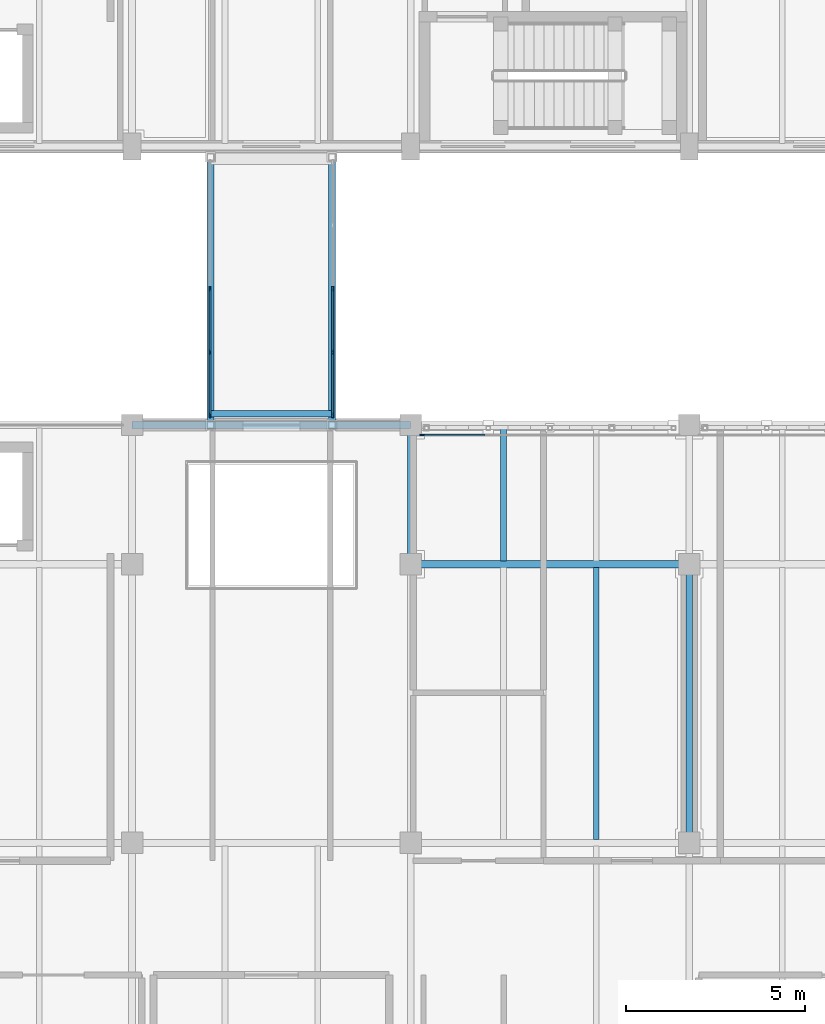
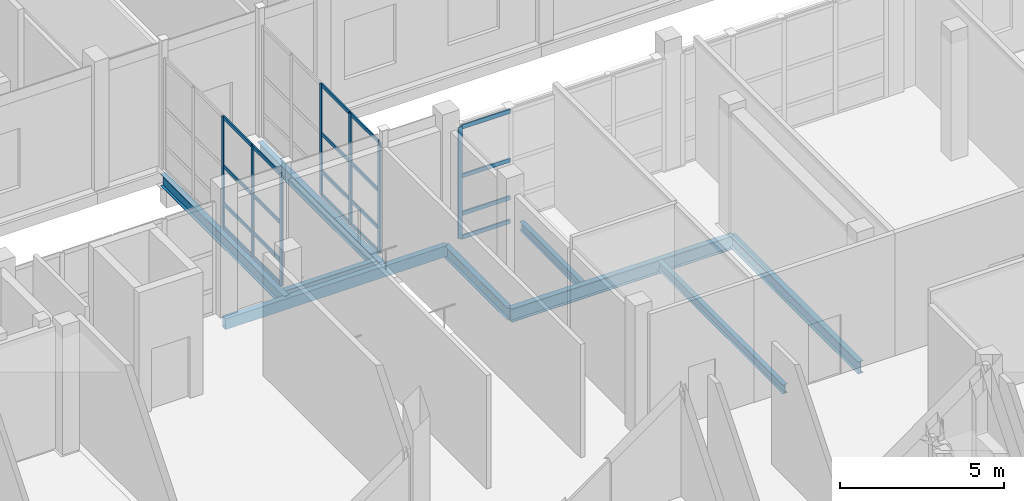
# One storey, part 22 of 138: 27 members, 9 beams, 3 elements without a shape of their own.
"""IFC4 building model written with IfcOpenShell, lengths in metres."""

from ifc_helpers import new_model, si_unit, direction, frame, origin, origin_2d, place, context, subcontext, project, spatial, rectangle, hollow_rectangle, i_section, extrude, material, layer, layer_set, material_profile, profile_set, type_object, element, aggregate, save


model = new_model("IFC4")

# Units and contexts
model_context = context("Model", 3, precision=1e-05, world=origin(), true_north=direction((0.0, 1.0)))
body_context = subcontext(model_context, "Body", "Model", "MODEL_VIEW")
ifc_project = project(units=[si_unit("LENGTHUNIT", "METRE"), si_unit("AREAUNIT", "SQUARE_METRE"), si_unit("VOLUMEUNIT", "CUBIC_METRE"), si_unit("PLANEANGLEUNIT", "RADIAN"), si_unit("MASSUNIT", "GRAM", prefix="KILO")], contexts=[model_context])

# Site, building, storey
site_placement = place(None, origin())
site = spatial("IfcSite", under=ifc_project, at=site_placement, CompositionType="ELEMENT")
building_placement = place(site_placement, origin())
building = spatial("IfcBuilding", under=site, at=building_placement, Name="Celorna Specialist Clinic", CompositionType="ELEMENT")
storey_placement = place(building_placement, frame((0.0, 0.0, 4.800048828125)))
storey = spatial("IfcBuildingStorey", under=building, at=storey_placement, Name="L01", CompositionType="ELEMENT", Elevation=4.800048828125)

# Beams
ifc_material_1 = material(Name="Steel S355", Category="steel")
ifc_material_profile_1 = material_profile(ifc_material_1, i_section(OverallWidth=0.199951171875, OverallDepth=0.5, WebThickness=0.01025390625, FlangeThickness=0.01611328125, at=origin_2d()), Name="IPE 500")
ifc_profile_set_1 = profile_set([ifc_material_profile_1], Name="Steel S355")
beam_type_1 = type_object("IfcBeamType", Name="BM-08", PredefinedType="BEAM", material=ifc_profile_set_1)
beam_1_placement = place(storey_placement, frame((23.39990234375, 23.39990234375, -0.510009765625), z_axis=(1.0, 0.0, 0.0), x_axis=(0.0, 1.0, 0.0)))
element("IfcBeam", 1, at=beam_1_placement, inside=storey, type_object=beam_type_1, Name="Primary girder BM-08 #1609", PredefinedType="BEAM", context=body_context, shape_type="SweptSolid", body=[
    extrude(i_section(OverallWidth=0.199951171875, OverallDepth=0.5, WebThickness=0.01025390625, FlangeThickness=0.01611328125, at=origin_2d()), origin(), (0.0, 0.0, 1.0), 7.800048828125),
])
ifc_material_profile_2 = material_profile(ifc_material_1, i_section(OverallWidth=0.18994140625, OverallDepth=0.449951171875, WebThickness=0.009521484375, FlangeThickness=0.0146484375, at=origin_2d()), Name="IPE 450")
ifc_profile_set_2 = profile_set([ifc_material_profile_2], Name="Steel S355")
beam_type_2 = type_object("IfcBeamType", Name="BM-09", PredefinedType="BEAM", material=ifc_profile_set_2)
for number, where, z_axis, x_axis, name in (
    (2, (17.800048828125, 27.300048828125, -0.445068359375), (0.0, 1.0, 0.0), (-1.0, 0.0, 0.0), "Bridge BR-01 edge girder BM-09 #68"),
    (3, (21.199951171875, 27.300048828125, -0.445068359375), (0.0, 1.0, 0.0), (-1.0, 0.0, 0.0), "Bridge BR-01 edge girder BM-09 #69"),
):
    element("IfcBeam", number, at=place(storey_placement, frame(where, z_axis=z_axis, x_axis=x_axis)), inside=storey, type_object=beam_type_2, Name=name, PredefinedType="BEAM", context=body_context, shape_type="SweptSolid", body=[
        extrude(i_section(OverallWidth=0.18994140625, OverallDepth=0.449951171875, WebThickness=0.009521484375, FlangeThickness=0.0146484375, at=origin_2d()), origin(), (0.0, 0.0, 1.0), 7.5),
    ])
beam_2_placement = place(storey_placement, frame((23.39990234375, 23.39990234375, -0.485107421875), z_axis=(0.0, 1.0, 0.0), x_axis=(-1.0, 0.0, 0.0)))
element("IfcBeam", 4, at=beam_2_placement, inside=storey, type_object=beam_type_2, Name="Transverse girder BM-09 #1637", PredefinedType="BEAM", context=body_context, shape_type="SweptSolid", body=[
    extrude(i_section(OverallWidth=0.18994140625, OverallDepth=0.449951171875, WebThickness=0.009521484375, FlangeThickness=0.0146484375, at=origin_2d()), origin(), (0.0, 0.0, 1.0), 3.900146484375),
])
beam_3_placement = place(storey_placement, frame((31.199951171875, 15.60009765625, -0.485107421875), z_axis=(0.0, 1.0, 0.0), x_axis=(-1.0, 0.0, 0.0)))
element("IfcBeam", 5, at=beam_3_placement, inside=storey, type_object=beam_type_2, Name="Transverse girder BM-09 #1641", PredefinedType="BEAM", context=body_context, shape_type="SweptSolid", body=[
    extrude(i_section(OverallWidth=0.18994140625, OverallDepth=0.449951171875, WebThickness=0.009521484375, FlangeThickness=0.0146484375, at=origin_2d()), origin(), (0.0, 0.0, 1.0), 7.7998046875),
])
ifc_material_profile_3 = material_profile(ifc_material_1, i_section(OverallWidth=0.179931640625, OverallDepth=0.39990234375, WebThickness=0.008544921875, FlangeThickness=0.013427734375, at=origin_2d()), Name="IPE 400")
ifc_profile_set_3 = profile_set([ifc_material_profile_3], Name="Steel S355")
beam_type_3 = type_object("IfcBeamType", Name="BM-10", PredefinedType="BEAM", material=ifc_profile_set_3)
beam_4_placement = place(storey_placement, frame((17.800048828125, 27.6201171875, -0.420166015625), z_axis=(1.0, 0.0, 0.0), x_axis=(0.0, 1.0, 0.0)))
element("IfcBeam", 6, at=beam_4_placement, inside=storey, type_object=beam_type_3, Name="Bridge BR-01 transverse beam BM-10 #71", PredefinedType="BEAM", context=body_context, shape_type="SweptSolid", body=[
    extrude(i_section(OverallWidth=0.179931640625, OverallDepth=0.39990234375, WebThickness=0.008544921875, FlangeThickness=0.013427734375, at=origin_2d()), origin(), (0.0, 0.0, 1.0), 3.39990234375),
])
ifc_material_profile_4 = material_profile(ifc_material_1, i_section(OverallWidth=0.159912109375, OverallDepth=0.330078125, WebThickness=0.007568359375, FlangeThickness=0.011474609375, at=origin_2d()), Name="IPE 330")
ifc_profile_set_4 = profile_set([ifc_material_profile_4], Name="Steel S355")
beam_type_4 = type_object("IfcBeamType", Name="BM-12", PredefinedType="JOIST", material=ifc_profile_set_4)
beam_5_placement = place(storey_placement, frame((28.60009765625, 15.68798828125, -0.425048828125), z_axis=(0.0, 1.0, 0.0), x_axis=(-1.0, 0.0, 0.0)))
element("IfcBeam", 7, at=beam_5_placement, inside=storey, type_object=beam_type_4, Name="Secondary floor joist BM-12 #1681", PredefinedType="JOIST", context=body_context, shape_type="SweptSolid", body=[
    extrude(i_section(OverallWidth=0.159912109375, OverallDepth=0.330078125, WebThickness=0.007568359375, FlangeThickness=0.011474609375, at=origin_2d()), origin(), (0.0, 0.0, 1.0), 7.6240234375),
])
beam_6_placement = place(storey_placement, frame((26.0, 23.488037109375, -0.425048828125), z_axis=(0.0, 1.0, 0.0), x_axis=(-1.0, 0.0, 0.0)))
element("IfcBeam", 8, at=beam_6_placement, inside=storey, type_object=beam_type_4, Name="Secondary floor joist BM-12 #1682", PredefinedType="JOIST", context=body_context, shape_type="SweptSolid", body=[
    extrude(i_section(OverallWidth=0.159912109375, OverallDepth=0.330078125, WebThickness=0.007568359375, FlangeThickness=0.011474609375, at=origin_2d()), origin(), (0.0, 0.0, 1.0), 3.723876953125),
])
ifc_material_profile_5 = material_profile(ifc_material_1, hollow_rectangle(XDim=0.199951171875, YDim=0.39990234375, WallThickness=0.011962890625, at=origin_2d()), Name="RHS 200x400x12")
ifc_profile_set_5 = profile_set([ifc_material_profile_5], Name="Steel S355")
beam_type_5 = type_object("IfcBeamType", Name="BM-15", PredefinedType="SPANDREL", material=ifc_profile_set_5)
beam_7_placement = place(storey_placement, frame((15.60009765625, 27.300048828125, -0.4599609375), z_axis=(1.0, 0.0, 0.0), x_axis=(0.0, 1.0, 0.0)))
element("IfcBeam", 9, at=beam_7_placement, inside=storey, type_object=beam_type_5, Name="Spandrel beam BM-15 #1614", PredefinedType="SPANDREL", context=body_context, shape_type="SweptSolid", body=[
    extrude(hollow_rectangle(XDim=0.199951171875, YDim=0.39990234375, WallThickness=0.011962890625, at=origin_2d()), origin(), (0.0, 0.0, 1.0), 7.7998046875),
])

# Curtain wall, member
ifc_material_2 = material(Name="Thermally broken aluminium and solar-control glass curtain wall", Category="aluminium")
ifc_layer_1 = layer(ifc_material_2, 0.159912109375, Name="Thermally broken aluminium and solar-control glass curtain wall")
ifc_layer_set_1 = layer_set([ifc_layer_1], Name="Thermally broken aluminium and solar-control glass curtain wall")
curtain_wall_type_1 = type_object("IfcCurtainWallType", Name="CW-15", PredefinedType="NOTDEFINED", material=ifc_layer_set_1)
curtain_wall_1_placement = place(storey_placement, origin())
curtain_wall_1 = element("IfcCurtainWall", 10, at=curtain_wall_1_placement, inside=storey, type_object=curtain_wall_type_1, Name="Curtain wall CW-15 #155", PredefinedType="NOTDEFINED")
ifc_material_3 = material(Name="Anodized aluminium mullion", Category="aluminium")
ifc_material_profile_6 = material_profile(ifc_material_3, rectangle(XDim=0.050048828125, YDim=0.139892578125, at=origin_2d()), Name="ALU MULLION 50x140")
ifc_profile_set_6 = profile_set([ifc_material_profile_6], Name="Anodized aluminium mullion")
member_type_1 = type_object("IfcMemberType", Name="ML-03", PredefinedType="MULLION", material=ifc_profile_set_6)
member_1_placement = place(storey_placement, frame((23.72900390625, 27.02001953125, 0.0), z_axis=(0.0, 0.0, 1.0), x_axis=(0.0, 1.0, 0.0)))
member_1 = element("IfcMember", 11, at=member_1_placement, type_object=member_type_1, Name="CW-15 mullion 1", PredefinedType="MULLION", context=body_context, shape_type="SweptSolid", body=[
    extrude(rectangle(XDim=0.050048828125, YDim=0.139892578125, at=origin_2d()), origin(), (0.0, 0.0, 1.0), 4.139892578125),
])

# Curtain wall, members
ifc_layer_2 = layer(ifc_material_2, 0.159912109375, Name="Thermally broken aluminium and solar-control glass curtain wall")
ifc_layer_set_2 = layer_set([ifc_layer_2], Name="Thermally broken aluminium and solar-control glass curtain wall")
curtain_wall_type_2 = type_object("IfcCurtainWallType", Name="CW-111", PredefinedType="NOTDEFINED", material=ifc_layer_set_2)
curtain_wall_2_placement = place(storey_placement, origin())
curtain_wall_2 = element("IfcCurtainWall", 12, at=curtain_wall_2_placement, inside=storey, type_object=curtain_wall_type_2, Name="Curtain wall CW-111 #200", PredefinedType="NOTDEFINED")
member_2_placement = place(storey_placement, frame((17.780029296875, 27.574951171875, 0.0), z_axis=(0.0, 0.0, 1.0), x_axis=(-1.0, 0.0, 0.0)))
member_2 = element("IfcMember", 13, at=member_2_placement, type_object=member_type_1, Name="CW-111 mullion 1", PredefinedType="MULLION", context=body_context, shape_type="SweptSolid", body=[
    extrude(rectangle(XDim=0.050048828125, YDim=0.139892578125, at=origin_2d()), origin(), (0.0, 0.0, 1.0), 4.1298828125),
])
member_3_placement = place(storey_placement, frame((17.780029296875, 29.33251953125, 0.0), z_axis=(0.0, 0.0, 1.0), x_axis=(-1.0, 0.0, 0.0)))
member_3 = element("IfcMember", 14, at=member_3_placement, type_object=member_type_1, Name="CW-111 mullion 2", PredefinedType="MULLION", context=body_context, shape_type="SweptSolid", body=[
    extrude(rectangle(XDim=0.050048828125, YDim=0.139892578125, at=origin_2d()), origin(), (0.0, 0.0, 1.0), 4.1298828125),
])
member_4_placement = place(storey_placement, frame((17.780029296875, 31.114990234375, 0.0), z_axis=(0.0, 0.0, 1.0), x_axis=(-1.0, 0.0, 0.0)))
member_4 = element("IfcMember", 15, at=member_4_placement, type_object=member_type_1, Name="CW-111 mullion 3", PredefinedType="MULLION", context=body_context, shape_type="SweptSolid", body=[
    extrude(rectangle(XDim=0.050048828125, YDim=0.139892578125, at=origin_2d()), origin(), (0.0, 0.0, 1.0), 4.1298828125),
])

curtain_wall_3_placement = place(storey_placement, origin())
curtain_wall_3 = element("IfcCurtainWall", 16, at=curtain_wall_3_placement, inside=storey, type_object=curtain_wall_type_2, Name="Curtain wall CW-111 #201", PredefinedType="NOTDEFINED")
member_5_placement = place(storey_placement, frame((21.219970703125, 31.114990234375, 0.0), z_axis=(0.0, 0.0, 1.0), x_axis=(1.0, 0.0, 0.0)))
member_5 = element("IfcMember", 17, at=member_5_placement, type_object=member_type_1, Name="CW-111 mullion 3", PredefinedType="MULLION", context=body_context, shape_type="SweptSolid", body=[
    extrude(rectangle(XDim=0.050048828125, YDim=0.139892578125, at=origin_2d()), origin(), (0.0, 0.0, 1.0), 4.1298828125),
])
member_6_placement = place(storey_placement, frame((21.219970703125, 29.33251953125, 0.0), z_axis=(0.0, 0.0, 1.0), x_axis=(1.0, 0.0, 0.0)))
member_6 = element("IfcMember", 18, at=member_6_placement, type_object=member_type_1, Name="CW-111 mullion 4", PredefinedType="MULLION", context=body_context, shape_type="SweptSolid", body=[
    extrude(rectangle(XDim=0.050048828125, YDim=0.139892578125, at=origin_2d()), origin(), (0.0, 0.0, 1.0), 4.1298828125),
])
member_7_placement = place(storey_placement, frame((21.219970703125, 27.574951171875, 0.0), z_axis=(0.0, 0.0, 1.0), x_axis=(1.0, 0.0, 0.0)))
member_7 = element("IfcMember", 19, at=member_7_placement, type_object=member_type_1, Name="CW-111 mullion 5", PredefinedType="MULLION", context=body_context, shape_type="SweptSolid", body=[
    extrude(rectangle(XDim=0.050048828125, YDim=0.139892578125, at=origin_2d()), origin(), (0.0, 0.0, 1.0), 4.1298828125),
])

# Member
ifc_material_4 = material(Name="Anodized aluminium transom", Category="aluminium")
ifc_material_profile_7 = material_profile(ifc_material_4, rectangle(XDim=0.050048828125, YDim=0.1298828125, at=origin_2d()), Name="ALU TRANSOM 50x130")
ifc_profile_set_7 = profile_set([ifc_material_profile_7], Name="Anodized aluminium transom")
member_type_2 = type_object("IfcMemberType", Name="TR-01", PredefinedType="USERDEFINED", material=ifc_profile_set_7)
member_8_placement = place(storey_placement, frame((17.780029296875, 27.60009765625, 0.02490234375), z_axis=(0.0, 1.0, 0.0), x_axis=(-1.0, 0.0, 0.0)))
member_8 = element("IfcMember", 20, at=member_8_placement, type_object=member_type_2, Name="CW-111 transom 1.1", ObjectType="TRANSOM", PredefinedType="USERDEFINED", context=body_context, shape_type="SweptSolid", body=[
    extrude(rectangle(XDim=0.050048828125, YDim=0.1298828125, at=origin_2d()), origin(), (0.0, 0.0, 1.0), 1.70751953125),
])

member_9_placement = place(storey_placement, frame((17.780029296875, 27.60009765625, 0.89990234375), z_axis=(0.0, 1.0, 0.0), x_axis=(-1.0, 0.0, 0.0)))
member_9 = element("IfcMember", 21, at=member_9_placement, type_object=member_type_2, Name="CW-111 transom 1.2", ObjectType="TRANSOM", PredefinedType="USERDEFINED", context=body_context, shape_type="SweptSolid", body=[
    extrude(rectangle(XDim=0.050048828125, YDim=0.1298828125, at=origin_2d()), origin(), (0.0, 0.0, 1.0), 1.70751953125),
])

member_10_placement = place(storey_placement, frame((17.780029296875, 27.60009765625, 2.300048828125), z_axis=(0.0, 1.0, 0.0), x_axis=(-1.0, 0.0, 0.0)))
member_10 = element("IfcMember", 22, at=member_10_placement, type_object=member_type_2, Name="CW-111 transom 1.3", ObjectType="TRANSOM", PredefinedType="USERDEFINED", context=body_context, shape_type="SweptSolid", body=[
    extrude(rectangle(XDim=0.050048828125, YDim=0.1298828125, at=origin_2d()), origin(), (0.0, 0.0, 1.0), 1.70751953125),
])

member_11_placement = place(storey_placement, frame((17.780029296875, 27.60009765625, 4.10498046875), z_axis=(0.0, 1.0, 0.0), x_axis=(-1.0, 0.0, 0.0)))
member_11 = element("IfcMember", 23, at=member_11_placement, type_object=member_type_2, Name="CW-111 transom 1.4", ObjectType="TRANSOM", PredefinedType="USERDEFINED", context=body_context, shape_type="SweptSolid", body=[
    extrude(rectangle(XDim=0.050048828125, YDim=0.1298828125, at=origin_2d()), origin(), (0.0, 0.0, 1.0), 1.70751953125),
])

member_12_placement = place(storey_placement, frame((17.780029296875, 29.357421875, 0.02490234375), z_axis=(0.0, 1.0, 0.0), x_axis=(-1.0, 0.0, 0.0)))
member_12 = element("IfcMember", 24, at=member_12_placement, type_object=member_type_2, Name="CW-111 transom 2.1", ObjectType="TRANSOM", PredefinedType="USERDEFINED", context=body_context, shape_type="SweptSolid", body=[
    extrude(rectangle(XDim=0.050048828125, YDim=0.1298828125, at=origin_2d()), origin(), (0.0, 0.0, 1.0), 1.732666015625),
])

member_13_placement = place(storey_placement, frame((17.780029296875, 29.357421875, 0.89990234375), z_axis=(0.0, 1.0, 0.0), x_axis=(-1.0, 0.0, 0.0)))
member_13 = element("IfcMember", 25, at=member_13_placement, type_object=member_type_2, Name="CW-111 transom 2.2", ObjectType="TRANSOM", PredefinedType="USERDEFINED", context=body_context, shape_type="SweptSolid", body=[
    extrude(rectangle(XDim=0.050048828125, YDim=0.1298828125, at=origin_2d()), origin(), (0.0, 0.0, 1.0), 1.732666015625),
])

member_14_placement = place(storey_placement, frame((17.780029296875, 29.357421875, 2.300048828125), z_axis=(0.0, 1.0, 0.0), x_axis=(-1.0, 0.0, 0.0)))
member_14 = element("IfcMember", 26, at=member_14_placement, type_object=member_type_2, Name="CW-111 transom 2.3", ObjectType="TRANSOM", PredefinedType="USERDEFINED", context=body_context, shape_type="SweptSolid", body=[
    extrude(rectangle(XDim=0.050048828125, YDim=0.1298828125, at=origin_2d()), origin(), (0.0, 0.0, 1.0), 1.732666015625),
])

member_15_placement = place(storey_placement, frame((17.780029296875, 29.357421875, 4.10498046875), z_axis=(0.0, 1.0, 0.0), x_axis=(-1.0, 0.0, 0.0)))
member_15 = element("IfcMember", 27, at=member_15_placement, type_object=member_type_2, Name="CW-111 transom 2.4", ObjectType="TRANSOM", PredefinedType="USERDEFINED", context=body_context, shape_type="SweptSolid", body=[
    extrude(rectangle(XDim=0.050048828125, YDim=0.1298828125, at=origin_2d()), origin(), (0.0, 0.0, 1.0), 1.732666015625),
])

aggregate(curtain_wall_2, [member_2, member_3, member_4, member_8, member_9, member_10, member_11, member_12, member_13, member_14, member_15])

member_16_placement = place(storey_placement, frame((21.219970703125, 31.090087890625, 0.02490234375), z_axis=(0.0, -1.0, 0.0), x_axis=(1.0, 0.0, 0.0)))
member_16 = element("IfcMember", 28, at=member_16_placement, type_object=member_type_2, Name="CW-111 transom 3.1", ObjectType="TRANSOM", PredefinedType="USERDEFINED", context=body_context, shape_type="SweptSolid", body=[
    extrude(rectangle(XDim=0.050048828125, YDim=0.1298828125, at=origin_2d()), origin(), (0.0, 0.0, 1.0), 1.732666015625),
])

member_17_placement = place(storey_placement, frame((21.219970703125, 31.090087890625, 0.89990234375), z_axis=(0.0, -1.0, 0.0), x_axis=(1.0, 0.0, 0.0)))
member_17 = element("IfcMember", 29, at=member_17_placement, type_object=member_type_2, Name="CW-111 transom 3.2", ObjectType="TRANSOM", PredefinedType="USERDEFINED", context=body_context, shape_type="SweptSolid", body=[
    extrude(rectangle(XDim=0.050048828125, YDim=0.1298828125, at=origin_2d()), origin(), (0.0, 0.0, 1.0), 1.732666015625),
])

member_18_placement = place(storey_placement, frame((21.219970703125, 31.090087890625, 2.300048828125), z_axis=(0.0, -1.0, 0.0), x_axis=(1.0, 0.0, 0.0)))
member_18 = element("IfcMember", 30, at=member_18_placement, type_object=member_type_2, Name="CW-111 transom 3.3", ObjectType="TRANSOM", PredefinedType="USERDEFINED", context=body_context, shape_type="SweptSolid", body=[
    extrude(rectangle(XDim=0.050048828125, YDim=0.1298828125, at=origin_2d()), origin(), (0.0, 0.0, 1.0), 1.732666015625),
])

member_19_placement = place(storey_placement, frame((21.219970703125, 31.090087890625, 4.10498046875), z_axis=(0.0, -1.0, 0.0), x_axis=(1.0, 0.0, 0.0)))
member_19 = element("IfcMember", 31, at=member_19_placement, type_object=member_type_2, Name="CW-111 transom 3.4", ObjectType="TRANSOM", PredefinedType="USERDEFINED", context=body_context, shape_type="SweptSolid", body=[
    extrude(rectangle(XDim=0.050048828125, YDim=0.1298828125, at=origin_2d()), origin(), (0.0, 0.0, 1.0), 1.732666015625),
])

member_20_placement = place(storey_placement, frame((21.219970703125, 29.3076171875, 0.02490234375), z_axis=(0.0, -1.0, 0.0), x_axis=(1.0, 0.0, 0.0)))
member_20 = element("IfcMember", 32, at=member_20_placement, type_object=member_type_2, Name="CW-111 transom 4.1", ObjectType="TRANSOM", PredefinedType="USERDEFINED", context=body_context, shape_type="SweptSolid", body=[
    extrude(rectangle(XDim=0.050048828125, YDim=0.1298828125, at=origin_2d()), origin(), (0.0, 0.0, 1.0), 1.70751953125),
])

member_21_placement = place(storey_placement, frame((21.219970703125, 29.3076171875, 0.89990234375), z_axis=(0.0, -1.0, 0.0), x_axis=(1.0, 0.0, 0.0)))
member_21 = element("IfcMember", 33, at=member_21_placement, type_object=member_type_2, Name="CW-111 transom 4.2", ObjectType="TRANSOM", PredefinedType="USERDEFINED", context=body_context, shape_type="SweptSolid", body=[
    extrude(rectangle(XDim=0.050048828125, YDim=0.1298828125, at=origin_2d()), origin(), (0.0, 0.0, 1.0), 1.70751953125),
])

member_22_placement = place(storey_placement, frame((21.219970703125, 29.3076171875, 2.300048828125), z_axis=(0.0, -1.0, 0.0), x_axis=(1.0, 0.0, 0.0)))
member_22 = element("IfcMember", 34, at=member_22_placement, type_object=member_type_2, Name="CW-111 transom 4.3", ObjectType="TRANSOM", PredefinedType="USERDEFINED", context=body_context, shape_type="SweptSolid", body=[
    extrude(rectangle(XDim=0.050048828125, YDim=0.1298828125, at=origin_2d()), origin(), (0.0, 0.0, 1.0), 1.70751953125),
])

member_23_placement = place(storey_placement, frame((21.219970703125, 29.3076171875, 4.10498046875), z_axis=(0.0, -1.0, 0.0), x_axis=(1.0, 0.0, 0.0)))
member_23 = element("IfcMember", 35, at=member_23_placement, type_object=member_type_2, Name="CW-111 transom 4.4", ObjectType="TRANSOM", PredefinedType="USERDEFINED", context=body_context, shape_type="SweptSolid", body=[
    extrude(rectangle(XDim=0.050048828125, YDim=0.1298828125, at=origin_2d()), origin(), (0.0, 0.0, 1.0), 1.70751953125),
])

aggregate(curtain_wall_3, [member_5, member_6, member_7, member_16, member_17, member_18, member_19, member_20, member_21, member_22, member_23])

ifc_material_profile_8 = material_profile(ifc_material_4, rectangle(XDim=0.050048828125, YDim=0.14990234375, at=origin_2d()), Name="ALU TRANSOM 50x150")
ifc_profile_set_8 = profile_set([ifc_material_profile_8], Name="Anodized aluminium transom")
member_type_3 = type_object("IfcMemberType", Name="TR-02", PredefinedType="USERDEFINED", material=ifc_profile_set_8)
member_24_placement = place(storey_placement, frame((23.75390625, 27.02001953125, 0.02490234375), z_axis=(1.0, 0.0, 0.0), x_axis=(0.0, 1.0, 0.0)))
member_24 = element("IfcMember", 36, at=member_24_placement, type_object=member_type_3, Name="CW-15 transom 1.1", ObjectType="TRANSOM", PredefinedType="USERDEFINED", context=body_context, shape_type="SweptSolid", body=[
    extrude(rectangle(XDim=0.050048828125, YDim=0.14990234375, at=origin_2d()), origin(), (0.0, 0.0, 1.0), 1.72314453125),
])

member_25_placement = place(storey_placement, frame((23.75390625, 27.02001953125, 0.89990234375), z_axis=(1.0, 0.0, 0.0), x_axis=(0.0, 1.0, 0.0)))
member_25 = element("IfcMember", 37, at=member_25_placement, type_object=member_type_3, Name="CW-15 transom 1.2", ObjectType="TRANSOM", PredefinedType="USERDEFINED", context=body_context, shape_type="SweptSolid", body=[
    extrude(rectangle(XDim=0.050048828125, YDim=0.14990234375, at=origin_2d()), origin(), (0.0, 0.0, 1.0), 1.72314453125),
])

member_26_placement = place(storey_placement, frame((23.75390625, 27.02001953125, 2.300048828125), z_axis=(1.0, 0.0, 0.0), x_axis=(0.0, 1.0, 0.0)))
member_26 = element("IfcMember", 38, at=member_26_placement, type_object=member_type_3, Name="CW-15 transom 1.3", ObjectType="TRANSOM", PredefinedType="USERDEFINED", context=body_context, shape_type="SweptSolid", body=[
    extrude(rectangle(XDim=0.050048828125, YDim=0.14990234375, at=origin_2d()), origin(), (0.0, 0.0, 1.0), 1.72314453125),
])

member_27_placement = place(storey_placement, frame((23.75390625, 27.02001953125, 4.114990234375), z_axis=(1.0, 0.0, 0.0), x_axis=(0.0, 1.0, 0.0)))
member_27 = element("IfcMember", 39, at=member_27_placement, type_object=member_type_3, Name="CW-15 transom 1.4", ObjectType="TRANSOM", PredefinedType="USERDEFINED", context=body_context, shape_type="SweptSolid", body=[
    extrude(rectangle(XDim=0.050048828125, YDim=0.14990234375, at=origin_2d()), origin(), (0.0, 0.0, 1.0), 1.72314453125),
])

aggregate(curtain_wall_1, [member_1, member_24, member_25, member_26, member_27])

save(model, "model.ifc")
